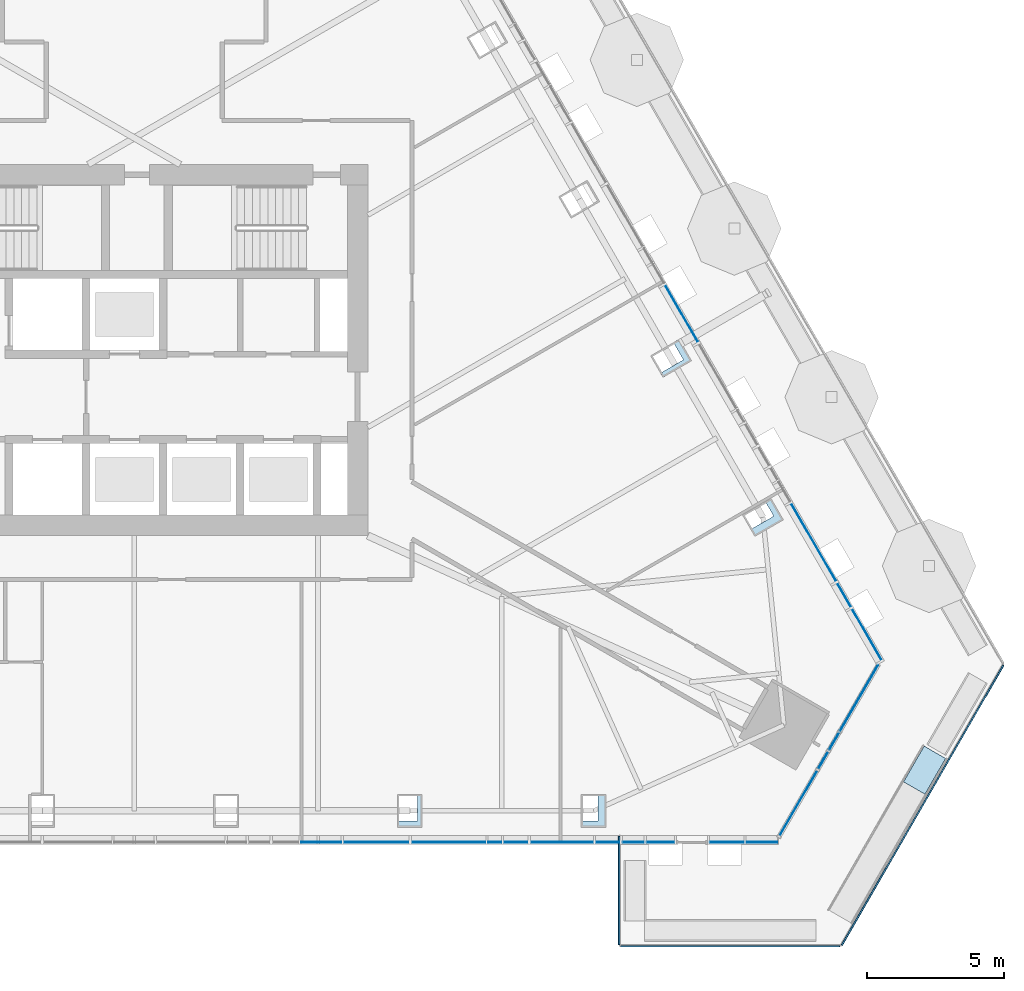
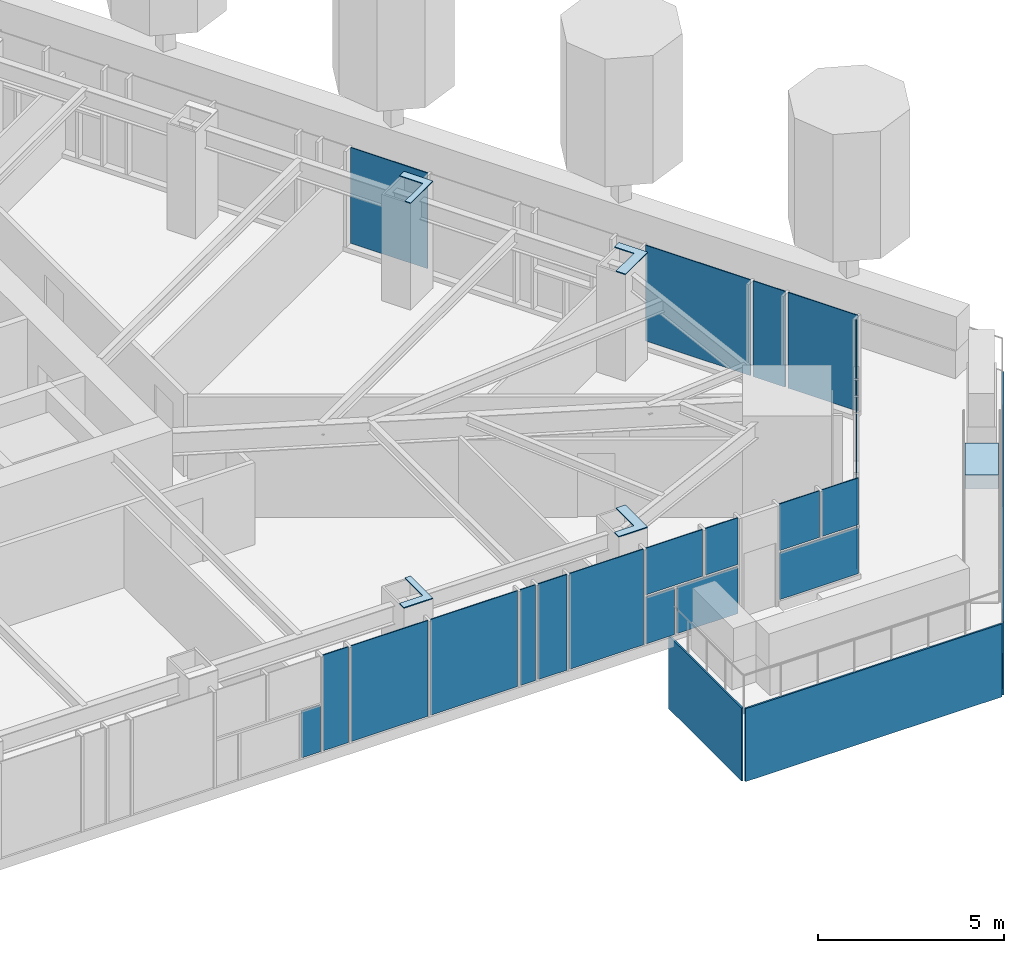
# One storey, part 11 of 24: 31 plates, 1 slab, 3 elements without a shape of their own.
"""IFC4 building model written with IfcOpenShell, lengths in metres."""

from ifc_helpers import new_model, si_unit, direction, frame, origin, place, context, subcontext, project, spatial, polyline, outline, extrude, material, layer, layer_set, type_object, element, aggregate, save


model = new_model("IFC4")

# Units and contexts
model_context = context("Model", 3, precision=1e-05, world=origin(), true_north=direction((0.0, 1.0)))
body_context = subcontext(model_context, "Body", "Model", "MODEL_VIEW")
ifc_project = project(units=[si_unit("LENGTHUNIT", "METRE"), si_unit("AREAUNIT", "SQUARE_METRE"), si_unit("VOLUMEUNIT", "CUBIC_METRE"), si_unit("PLANEANGLEUNIT", "RADIAN"), si_unit("MASSUNIT", "GRAM", prefix="KILO")], contexts=[model_context])

# Site, building, storey
site_placement = place(None, origin())
site = spatial("IfcSite", under=ifc_project, at=site_placement, CompositionType="ELEMENT")
building_placement = place(site_placement, origin())
building = spatial("IfcBuilding", under=site, at=building_placement, Name="Firuza Gate Tower and Library", CompositionType="ELEMENT")
storey_placement = place(building_placement, frame((0.0, 0.0, 267.10009765625)))
storey = spatial("IfcBuildingStorey", under=building, at=storey_placement, Name="L63", CompositionType="ELEMENT", Elevation=267.10009765625)

# Plates
ifc_material_1 = material(Name="Steel S355", Category="steel")
ifc_layer_1 = layer(ifc_material_1, 0.030029296875)
ifc_layer_set_1 = layer_set([ifc_layer_1], Name="Column infill plate 30 Steel S355")
plate_type_1 = type_object("IfcPlateType", Name="Column infill plate 30 Steel S355", PredefinedType="SHEET", material=ifc_layer_set_1)
placement_1 = place(storey_placement, frame((0.0, 0.0, 3.5)))
element("IfcPlate", 1, at=placement_1, inside=storey, type_object=plate_type_1, Name="Infill plate L63:S5", PredefinedType="SHEET", context=body_context, shape_type="SweptSolid", body=[
    extrude(outline(polyline([(85.47412109375, 58.83935546875), (85.298095703125, 58.83935546875), (85.298095703125, 57.876220703125), (84.573974609375, 57.876220703125), (84.573974609375, 57.63916015625), (85.47412109375, 57.63916015625), (85.47412109375, 58.83935546875)])), origin(), (0.0, 0.0, 1.0), 0.02978515625),
])
element("IfcPlate", 2, at=placement_1, inside=storey, type_object=plate_type_1, Name="Infill plate L63:S6", PredefinedType="SHEET", context=body_context, shape_type="SweptSolid", body=[
    extrude(outline(polyline([(92.15673828125, 58.83935546875), (91.86328125, 58.83935546875), (91.86328125, 57.876220703125), (91.256591796875, 57.876220703125), (91.256591796875, 57.63916015625), (92.15673828125, 57.63916015625), (92.15673828125, 58.83935546875)])), origin(), (0.0, 0.0, 1.0), 0.02978515625),
])
element("IfcPlate", 3, at=placement_1, inside=storey, type_object=plate_type_1, Name="Infill plate L63:E1", PredefinedType="SHEET", context=body_context, shape_type="SweptSolid", body=[
    extrude(outline(polyline([(98.1630859375, 69.601806640625), (97.957763671875, 69.483154296875), (98.26123046875, 68.957763671875), (97.42724609375, 68.476318359375), (97.573974609375, 68.22216796875), (98.61328125, 68.822265625), (98.1630859375, 69.601806640625)])), origin(), (0.0, 0.0, 1.0), 0.02978515625),
])
element("IfcPlate", 4, at=placement_1, inside=storey, type_object=plate_type_1, Name="Infill plate L63:E2", PredefinedType="SHEET", context=body_context, shape_type="SweptSolid", body=[
    extrude(outline(polyline([(94.82177734375, 75.38916015625), (94.616455078125, 75.2705078125), (94.978515625, 74.6435546875), (94.14453125, 74.162109375), (94.232666015625, 74.009521484375), (95.27197265625, 74.609619140625), (94.82177734375, 75.38916015625)])), origin(), (0.0, 0.0, 1.0), 0.02978515625),
])

# Curtain wall, plates
ifc_material_2 = material(Name="Aluminium 6063-T6", Category="aluminium")
ifc_layer_2 = layer(ifc_material_2, 0.14990234375)
ifc_layer_set_2 = layer_set([ifc_layer_2], Name="Corner curtain wall, chamfers")
curtain_wall_type_1 = type_object("IfcCurtainWallType", Name="Corner curtain wall, chamfers", PredefinedType="NOTDEFINED", material=ifc_layer_set_2)
placement_2 = place(storey_placement, origin())
curtain_wall_1 = element("IfcCurtainWall", 5, at=placement_2, inside=storey, type_object=curtain_wall_type_1, Name="CW4 L63 SE corner", PredefinedType="NOTDEFINED")
ifc_material_3 = material(Name="Fritted glass", Category="glass")
ifc_layer_3 = layer(ifc_material_3, 0.030029296875)
ifc_layer_set_3 = layer_set([ifc_layer_3], Name="Fritted glass unit, corners")
plate_type_2 = type_object("IfcPlateType", Name="Fritted glass unit, corners", PredefinedType="CURTAIN_PANEL", material=ifc_layer_set_3)
plate_5_placement = place(storey_placement, frame((98.465576171875, 57.291259765625, 0.14990234375), z_axis=(0.866016723041, -0.500015035186, 0.0), x_axis=(0.500015035186, 0.866016723041, 0.0)))
plate_5 = element("IfcPlate", 6, at=plate_5_placement, type_object=plate_type_2, Name="Glass unit", PredefinedType="CURTAIN_PANEL", context=body_context, shape_type="SweptSolid", body=[
    extrude(outline(polyline([(0.0, 0.0), (3.5633694106530625, 0.0), (3.5633694106530625, 1.5349121093749998), (0.0, 1.5349121093749998), (0.0, 0.0)])), origin(), (0.0, 0.0, -1.0), 0.030029296875),
])
plate_6_placement = place(storey_placement, frame((99.889892578125, 59.758544921875, 1.764892578125), z_axis=(0.865878230008, -0.500254825861, 0.0), x_axis=(0.500254825861, 0.865878230008, 0.0)))
plate_6 = element("IfcPlate", 7, at=plate_6_placement, type_object=plate_type_2, Name="Glass unit", PredefinedType="CURTAIN_PANEL", context=body_context, shape_type="SweptSolid", body=[
    extrude(outline(polyline([(0.0, 0.0), (0.7144796142339429, 0.0), (0.7144796142339429, 1.534912109375), (0.0, 1.534912109375), (0.0, 0.0)])), origin(), (0.0, 0.0, -1.0), 0.030029296875),
])
plate_7_placement = place(storey_placement, frame((100.287353515625, 60.446533203125, 0.14990234375), z_axis=(0.866046390552, -0.49996364809, 0.0), x_axis=(0.49996364809, 0.866046390552, 0.0)))
plate_7 = element("IfcPlate", 8, at=plate_7_placement, type_object=plate_type_2, Name="Glass unit", PredefinedType="CURTAIN_PANEL", context=body_context, shape_type="SweptSolid", body=[
    extrude(outline(polyline([(0.0, 0.0), (3.563247342942594, 0.0), (3.563247342942594, 1.534912109375), (0.0, 1.534912109375), (0.0, 0.0)])), origin(), (0.0, 0.0, -1.0), 0.030029296875),
])
plate_8_placement = place(storey_placement, frame((100.287353515625, 60.446533203125, 1.764892578125), z_axis=(0.866111632091, -0.499850618442, 0.0), x_axis=(0.499850618442, 0.866111632091, 0.0)))
plate_8 = element("IfcPlate", 9, at=plate_8_placement, type_object=plate_type_2, Name="Glass unit", PredefinedType="CURTAIN_PANEL", context=body_context, shape_type="SweptSolid", body=[
    extrude(outline(polyline([(0.0, 0.0), (0.7145689555984032, 0.0), (0.7145689555984032, 1.5349121093749998), (0.0, 1.5349121093749998), (0.0, 0.0)])), origin(), (0.0, 0.0, -1.0), 0.030029296875),
])

ifc_material_4 = material(Name="Aluminium 6063-T6", Category="aluminium")
ifc_layer_4 = layer(ifc_material_4, 0.14990234375)
ifc_layer_set_4 = layer_set([ifc_layer_4], Name="Unitised curtain wall, residences")
curtain_wall_type_2 = type_object("IfcCurtainWallType", Name="Unitised curtain wall, residences", PredefinedType="NOTDEFINED", material=ifc_layer_set_4)
curtain_wall_2 = element("IfcCurtainWall", 10, at=placement_2, inside=storey, type_object=curtain_wall_type_2, Name="CW3 L63 S face", PredefinedType="NOTDEFINED")
ifc_material_5 = material(Name="Fritted glass", Category="glass")
ifc_layer_5 = layer(ifc_material_5, 0.030029296875)
ifc_layer_set_5 = layer_set([ifc_layer_5], Name="Fritted glass unit, residences")
plate_type_3 = type_object("IfcPlateType", Name="Fritted glass unit, residences", PredefinedType="CURTAIN_PANEL", material=ifc_layer_set_5)
plate_9_placement = place(storey_placement, frame((81.071533203125, 57.079345703125, 0.14990234375), z_axis=(0.0, -1.0, 0.0), x_axis=(1.0, 0.0, 0.0)))
plate_9 = element("IfcPlate", 11, at=plate_9_placement, type_object=plate_type_3, Name="Glass unit", PredefinedType="CURTAIN_PANEL", context=body_context, shape_type="SweptSolid", body=[
    extrude(outline(polyline([(0.0, 0.0), (0.58349609375, 0.0), (0.58349609375, 1.534912109375), (0.0, 1.534912109375), (0.0, 0.0)])), origin(), (0.0, 0.0, -1.0), 0.030029296875),
])
plate_10_placement = place(storey_placement, frame((81.735107421875, 57.079345703125, 0.14990234375), z_axis=(0.0, -1.0, 0.0), x_axis=(1.0, 0.0, 0.0)))
plate_10 = element("IfcPlate", 12, at=plate_10_placement, type_object=plate_type_3, Name="Glass unit", PredefinedType="CURTAIN_PANEL", context=body_context, shape_type="SweptSolid", body=[
    extrude(outline(polyline([(0.0, 0.0), (0.79345703125, 0.0), (0.79345703125, 3.14990234375), (0.0, 3.14990234375), (0.0, 0.0)])), origin(), (0.0, 0.0, -1.0), 0.030029296875),
])
plate_11_placement = place(storey_placement, frame((87.87158203125, 57.079345703125, 0.14990234375), z_axis=(0.0, -1.0, 0.0), x_axis=(1.0, 0.0, 0.0)))
plate_11 = element("IfcPlate", 13, at=plate_11_placement, type_object=plate_type_3, Name="Glass unit", PredefinedType="CURTAIN_PANEL", context=body_context, shape_type="SweptSolid", body=[
    extrude(outline(polyline([(0.0, 0.0), (0.478515625, 0.0), (0.478515625, 3.14990234375), (0.0, 3.14990234375), (0.0, 0.0)])), origin(), (0.0, 0.0, -1.0), 0.030029296875),
])
plate_12_placement = place(storey_placement, frame((88.43017578125, 57.079345703125, 0.14990234375), z_axis=(0.0, -1.0, 0.0), x_axis=(1.0, 0.0, 0.0)))
plate_12 = element("IfcPlate", 14, at=plate_12_placement, type_object=plate_type_3, Name="Glass unit", PredefinedType="CURTAIN_PANEL", context=body_context, shape_type="SweptSolid", body=[
    extrude(outline(polyline([(0.0, 0.0), (0.898193359375, 0.0), (0.898193359375, 3.14990234375), (0.0, 3.14990234375), (0.0, 0.0)])), origin(), (0.0, 0.0, -1.0), 0.030029296875),
])
plate_13_placement = place(storey_placement, frame((91.777587890625, 57.079345703125, 0.14990234375), z_axis=(0.0, -1.0, 0.0), x_axis=(1.0, 0.0, 0.0)))
plate_13 = element("IfcPlate", 15, at=plate_13_placement, type_object=plate_type_3, Name="Glass unit", PredefinedType="CURTAIN_PANEL", context=body_context, shape_type="SweptSolid", body=[
    extrude(outline(polyline([(0.0, 0.0), (0.895751953125, 0.0), (0.895751953125, 1.534912109375), (0.0, 1.534912109375), (0.0, 0.0)])), origin(), (0.0, 0.0, -1.0), 0.030029296875),
])
plate_14_placement = place(storey_placement, frame((93.62548828125, 57.079345703125, 1.764892578125), z_axis=(0.0, -1.0, 0.0), x_axis=(1.0, 0.0, 0.0)))
plate_14 = element("IfcPlate", 16, at=plate_14_placement, type_object=plate_type_3, Name="Glass unit", PredefinedType="CURTAIN_PANEL", context=body_context, shape_type="SweptSolid", body=[
    extrude(outline(polyline([(0.0, 0.0), (1.022216796875, 0.0), (1.022216796875, 1.534912109375), (0.0, 1.534912109375), (0.0, 0.0)])), origin(), (0.0, 0.0, -1.0), 0.030029296875),
])
plate_15_placement = place(storey_placement, frame((95.927490234375, 57.079345703125, 1.764892578125), z_axis=(0.0, -1.0, 0.0), x_axis=(1.0, 0.0, 0.0)))
plate_15 = element("IfcPlate", 17, at=plate_15_placement, type_object=plate_type_3, Name="Glass unit", PredefinedType="CURTAIN_PANEL", context=body_context, shape_type="SweptSolid", body=[
    extrude(outline(polyline([(0.0, 0.0), (1.246826171875, 0.0), (1.246826171875, 1.534912109375), (0.0, 1.534912109375), (0.0, 0.0)])), origin(), (0.0, 0.0, -1.0), 0.030029296875),
])

# Curtain wall, plate
curtain_wall_3 = element("IfcCurtainWall", 18, at=placement_2, inside=storey, type_object=curtain_wall_type_2, Name="CW3 L63 E face", PredefinedType="NOTDEFINED")
plate_16_placement = place(storey_placement, frame((101.083984375, 65.66259765625, 0.14990234375), z_axis=(0.8660032352, 0.500038395149, 0.0), x_axis=(-0.500038395149, 0.8660032352, 0.0)))
plate_16 = element("IfcPlate", 19, at=plate_16_placement, type_object=plate_type_3, Name="Glass unit", PredefinedType="CURTAIN_PANEL", context=body_context, shape_type="SweptSolid", body=[
    extrude(outline(polyline([(0.0, 0.0), (1.003340921901339, 0.0), (1.003340921901339, 3.14990234375), (0.0, 3.14990234375), (0.0, 0.0)])), origin(), (0.0, 0.0, -1.0), 0.030029296875),
])

# Slab
ifc_material_6 = material(Name="Concrete C40/50", Category="concrete")
ifc_layer_6 = layer(ifc_material_6, 0.449951171875)
ifc_layer_set_6 = layer_set([ifc_layer_6], Name="Garden deck 450")
slab_type = type_object("IfcSlabType", Name="Garden deck 450", PredefinedType="FLOOR", material=ifc_layer_set_6)
element("IfcSlab", 20, at=placement_2, inside=storey, type_object=slab_type, Name="Garden deck 7", PredefinedType="FLOOR", context=body_context, shape_type="SweptSolid", body=[
    extrude(outline(polyline([(103.761474609375, 58.843994140625), (104.51220703125, 60.144287109375), (103.732666015625, 60.59423828125), (102.98193359375, 59.2939453125), (103.761474609375, 58.843994140625)])), origin(), (0.0, 0.0, 1.0), 0.449951171875),
])

# Plate
ifc_material_7 = material(Name="Glazed ceramic tile")
ifc_layer_7 = layer(ifc_material_7, 0.030029296875)
ifc_layer_set_7 = layer_set([ifc_layer_7], Name="Opaque ceramic panel, corners")
plate_type_4 = type_object("IfcPlateType", Name="Opaque ceramic panel, corners", PredefinedType="CURTAIN_PANEL", material=ifc_layer_set_7)
plate_17_placement = place(storey_placement, frame((98.465576171875, 57.291259765625, 1.764892578125), z_axis=(0.866015261085, -0.500017567259, 0.0), x_axis=(0.500017567259, 0.866015261085, 0.0)))
plate_17 = element("IfcPlate", 21, at=plate_17_placement, type_object=plate_type_4, Name="Opaque ceramic panel", PredefinedType="CURTAIN_PANEL", context=body_context, shape_type="SweptSolid", body=[
    extrude(outline(polyline([(0.0, 0.0), (2.768945683179735, 0.0), (2.768945683179735, 1.534912109375), (0.0, 1.534912109375), (0.0, 0.0)])), origin(), (0.0, 0.0, -1.0), 0.030029296875),
])

plate_18_placement = place(storey_placement, frame((100.6845703125, 61.134765625, 1.764892578125), z_axis=(0.866031398331, -0.499989616998, 0.0), x_axis=(0.499989616998, 0.866031398331, 0.0)))
plate_18 = element("IfcPlate", 22, at=plate_18_placement, type_object=plate_type_4, Name="Opaque ceramic panel", PredefinedType="CURTAIN_PANEL", context=body_context, shape_type="SweptSolid", body=[
    extrude(outline(polyline([(0.0, 0.0), (2.7686121805131845, 0.0), (2.7686121805131845, 1.5349121093750004), (0.0, 1.5349121093750004), (0.0, 0.0)])), origin(), (0.0, 0.0, -1.0), 0.030029296875),
])

aggregate(curtain_wall_1, [plate_5, plate_17, plate_6, plate_7, plate_8, plate_18])

ifc_material_8 = material(Name="Glazed ceramic tile")
ifc_layer_8 = layer(ifc_material_8, 0.030029296875)
ifc_layer_set_8 = layer_set([ifc_layer_8], Name="Opaque ceramic panel, residences")
plate_type_5 = type_object("IfcPlateType", Name="Opaque ceramic panel, residences", PredefinedType="CURTAIN_PANEL", material=ifc_layer_set_8)
plate_19_placement = place(storey_placement, frame((82.6083984375, 57.079345703125, 0.14990234375), z_axis=(0.0, -1.0, 0.0), x_axis=(1.0, 0.0, 0.0)))
plate_19 = element("IfcPlate", 23, at=plate_19_placement, type_object=plate_type_5, Name="Opaque ceramic panel", PredefinedType="CURTAIN_PANEL", context=body_context, shape_type="SweptSolid", body=[
    extrude(outline(polyline([(0.0, 0.0), (2.39404296875, 0.0), (2.39404296875, 3.14990234375), (0.0, 3.14990234375), (0.0, 0.0)])), origin(), (0.0, 0.0, -1.0), 0.030029296875),
])

plate_20_placement = place(storey_placement, frame((85.08251953125, 57.079345703125, 0.14990234375), z_axis=(0.0, -1.0, 0.0), x_axis=(1.0, 0.0, 0.0)))
plate_20 = element("IfcPlate", 24, at=plate_20_placement, type_object=plate_type_5, Name="Opaque ceramic panel", PredefinedType="CURTAIN_PANEL", context=body_context, shape_type="SweptSolid", body=[
    extrude(outline(polyline([(0.0, 0.0), (2.708984375, 0.0), (2.708984375, 3.14990234375), (0.0, 3.14990234375), (0.0, 0.0)])), origin(), (0.0, 0.0, -1.0), 0.030029296875),
])

plate_21_placement = place(storey_placement, frame((89.408447265625, 57.079345703125, 0.14990234375), z_axis=(0.0, -1.0, 0.0), x_axis=(1.0, 0.0, 0.0)))
plate_21 = element("IfcPlate", 25, at=plate_21_placement, type_object=plate_type_5, Name="Opaque ceramic panel", PredefinedType="CURTAIN_PANEL", context=body_context, shape_type="SweptSolid", body=[
    extrude(outline(polyline([(0.0, 0.0), (2.2890625, 0.0), (2.2890625, 3.14990234375), (0.0, 3.14990234375), (0.0, 0.0)])), origin(), (0.0, 0.0, -1.0), 0.030029296875),
])

plate_22_placement = place(storey_placement, frame((92.75341796875, 57.079345703125, 0.14990234375), z_axis=(0.0, -1.0, 0.0), x_axis=(1.0, 0.0, 0.0)))
plate_22 = element("IfcPlate", 26, at=plate_22_placement, type_object=plate_type_5, Name="Opaque ceramic panel", PredefinedType="CURTAIN_PANEL", context=body_context, shape_type="SweptSolid", body=[
    extrude(outline(polyline([(0.0, 0.0), (1.894287109375, 0.0), (1.894287109375, 1.534912109375), (0.0, 1.534912109375), (0.0, 0.0)])), origin(), (0.0, 0.0, -1.0), 0.030029296875),
])

plate_23_placement = place(storey_placement, frame((91.777587890625, 57.079345703125, 1.764892578125), z_axis=(0.0, -1.0, 0.0), x_axis=(1.0, 0.0, 0.0)))
plate_23 = element("IfcPlate", 27, at=plate_23_placement, type_object=plate_type_5, Name="Opaque ceramic panel", PredefinedType="CURTAIN_PANEL", context=body_context, shape_type="SweptSolid", body=[
    extrude(outline(polyline([(0.0, 0.0), (1.76806640625, 0.0), (1.76806640625, 1.534912109375), (0.0, 1.534912109375), (0.0, 0.0)])), origin(), (0.0, 0.0, -1.0), 0.030029296875),
])

plate_24_placement = place(storey_placement, frame((95.927490234375, 57.079345703125, 0.14990234375), z_axis=(0.0, -1.0, 0.0), x_axis=(1.0, 0.0, 0.0)))
plate_24 = element("IfcPlate", 28, at=plate_24_placement, type_object=plate_type_5, Name="Opaque ceramic panel", PredefinedType="CURTAIN_PANEL", context=body_context, shape_type="SweptSolid", body=[
    extrude(outline(polyline([(0.0, 0.0), (2.465087890625, 0.0), (2.465087890625, 1.534912109375), (0.0, 1.534912109375), (0.0, 0.0)])), origin(), (0.0, 0.0, -1.0), 0.030029296875),
])

plate_25_placement = place(storey_placement, frame((97.25439453125, 57.079345703125, 1.764892578125), z_axis=(0.0, -1.0, 0.0), x_axis=(1.0, 0.0, 0.0)))
plate_25 = element("IfcPlate", 29, at=plate_25_placement, type_object=plate_type_5, Name="Opaque ceramic panel", PredefinedType="CURTAIN_PANEL", context=body_context, shape_type="SweptSolid", body=[
    extrude(outline(polyline([(0.0, 0.0), (1.13818359375, 0.0), (1.13818359375, 1.534912109375), (0.0, 1.534912109375), (0.0, 0.0)])), origin(), (0.0, 0.0, -1.0), 0.030029296875),
])

aggregate(curtain_wall_2, [plate_9, plate_10, plate_19, plate_20, plate_11, plate_12, plate_21, plate_13, plate_22, plate_23, plate_14, plate_24, plate_15, plate_25])

plate_26_placement = place(storey_placement, frame((102.216064453125, 63.70166015625, 0.14990234375), z_axis=(0.866040401994, 0.49997402144, 0.0), x_axis=(-0.49997402144, 0.866040401994, 0.0)))
plate_26 = element("IfcPlate", 30, at=plate_26_placement, type_object=plate_type_5, Name="Opaque ceramic panel", PredefinedType="CURTAIN_PANEL", context=body_context, shape_type="SweptSolid", body=[
    extrude(outline(polyline([(0.0, 0.0), (2.1841955157585415, 0.0), (2.1841955157585415, 3.14990234375), (0.0, 3.14990234375), (0.0, 0.0)])), origin(), (0.0, 0.0, -1.0), 0.030029296875),
])

plate_27_placement = place(storey_placement, frame((100.54248046875, 66.600830078125, 0.14990234375), z_axis=(0.866027570447, 0.499996247212, 0.0), x_axis=(-0.499996247212, 0.866027570447, 0.0)))
plate_27 = element("IfcPlate", 31, at=plate_27_placement, type_object=plate_type_5, Name="Opaque ceramic panel", PredefinedType="CURTAIN_PANEL", context=body_context, shape_type="SweptSolid", body=[
    extrude(outline(polyline([(0.0, 0.0), (3.2676026502419653, 0.0), (3.2676026502419653, 3.14990234375), (0.0, 3.14990234375), (0.0, 0.0)])), origin(), (0.0, 0.0, -1.0), 0.030029296875),
])

plate_28_placement = place(storey_placement, frame((95.52099609375, 75.2978515625, 0.14990234375), z_axis=(0.866044647487, 0.499966667447, 0.0), x_axis=(-0.499966667447, 0.866044647487, 0.0)))
plate_28 = element("IfcPlate", 32, at=plate_28_placement, type_object=plate_type_5, Name="Opaque ceramic panel", PredefinedType="CURTAIN_PANEL", context=body_context, shape_type="SweptSolid", body=[
    extrude(outline(polyline([(0.0, 0.0), (2.3942025785168273, 0.0), (2.3942025785168273, 3.14990234375), (0.0, 3.14990234375), (0.0, 0.0)])), origin(), (0.0, 0.0, -1.0), 0.030029296875),
])

aggregate(curtain_wall_3, [plate_26, plate_16, plate_27, plate_28])

# Plates
ifc_material_9 = material(Name="Aluminium 6063-T6", Category="aluminium")
ifc_layer_9 = layer(ifc_material_9, 0.050048828125)
ifc_layer_set_9 = layer_set([ifc_layer_9], Name="Tray fascia panel 50")
plate_type_6 = type_object("IfcPlateType", Name="Tray fascia panel 50", PredefinedType="SHEET", material=ifc_layer_set_9)
plate_29_placement = place(storey_placement, frame((92.69091796875, 53.2890625, -2.400146484375), z_axis=(0.0, -1.0, 0.0), x_axis=(1.0, 0.0, 0.0)))
element("IfcPlate", 33, at=plate_29_placement, inside=storey, type_object=plate_type_6, Name="Tray fascia L63 1", PredefinedType="SHEET", context=body_context, shape_type="SweptSolid", body=[
    extrude(outline(polyline([(0.0, 0.0), (7.97802734375, 0.0), (7.97802734375, 2.400146484375), (0.0, 2.400146484375), (0.0, 0.0)])), origin(), (0.0, 0.0, -1.0), 0.050048828125),
])
plate_30_placement = place(storey_placement, frame((100.757080078125, 53.340087890625, -2.400146484375), z_axis=(0.866052479261, -0.499953100966, 0.0), x_axis=(0.499953100966, 0.866052479261, 0.0)))
element("IfcPlate", 34, at=plate_30_placement, inside=storey, type_object=plate_type_6, Name="Tray fascia L63 2", PredefinedType="SHEET", context=body_context, shape_type="SweptSolid", body=[
    extrude(outline(polyline([(0.0, 0.0), (11.758915463545884, 0.0), (11.758915463545884, 2.400146484375), (0.0, 2.400146484375), (0.0, 0.0)])), origin(), (0.0, 0.0, -1.0), 0.050048828125),
])
plate_31_placement = place(storey_placement, frame((92.611083984375, 57.30908203125, -2.400146484375), z_axis=(-1.0, 0.0, 0.0), x_axis=(0.0, -1.0, 0.0)))
element("IfcPlate", 35, at=plate_31_placement, inside=storey, type_object=plate_type_6, Name="Tray fascia L63 12", PredefinedType="SHEET", context=body_context, shape_type="SweptSolid", body=[
    extrude(outline(polyline([(0.0, 0.0), (3.940185546875, 0.0), (3.940185546875, 2.400146484375), (0.0, 2.400146484375), (0.0, 0.0)])), origin(), (0.0, 0.0, -1.0), 0.050048828125),
])

save(model, "model.ifc")
